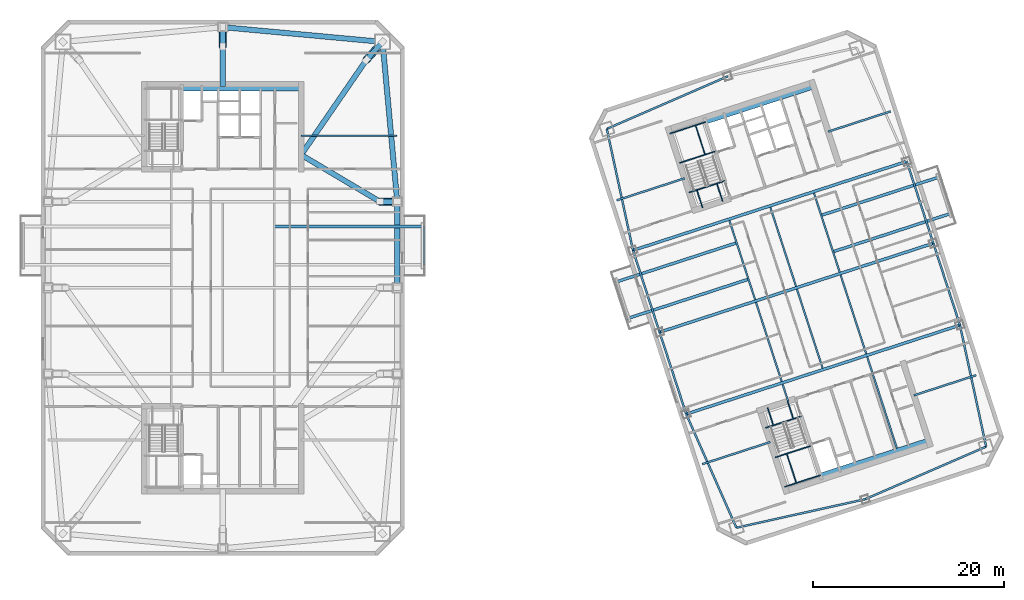
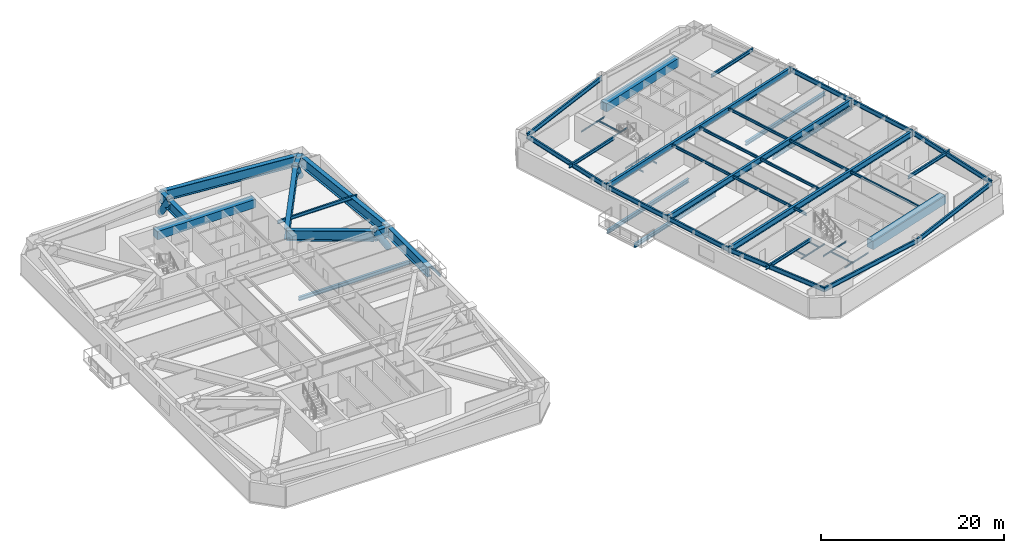
# One storey, part 4 of 17: 56 beams, 3 members.
"""IFC4 building model written with IfcOpenShell, lengths in metres."""

from ifc_helpers import new_model, si_unit, direction, frame, origin, origin_2d, place, context, subcontext, project, spatial, rectangle, hollow_circle, i_section, extrude, material, material_profile, profile_set, type_object, element, save


model = new_model("IFC4")

# Units and contexts
model_context = context("Model", 3, precision=1e-05, world=origin(), true_north=direction((0.0, 1.0)))
body_context = subcontext(model_context, "Body", "Model", "MODEL_VIEW")
ifc_project = project(units=[si_unit("LENGTHUNIT", "METRE"), si_unit("AREAUNIT", "SQUARE_METRE"), si_unit("VOLUMEUNIT", "CUBIC_METRE"), si_unit("PLANEANGLEUNIT", "RADIAN"), si_unit("MASSUNIT", "GRAM", prefix="KILO")], contexts=[model_context])

# Site, building, storey
site_placement = place(None, origin())
site = spatial("IfcSite", under=ifc_project, at=site_placement, CompositionType="ELEMENT")
building_placement = place(site_placement, origin())
building = spatial("IfcBuilding", under=site, at=building_placement, Name="Qiaolan Cultural Towers", CompositionType="ELEMENT")
storey_placement = place(building_placement, frame((0.0, 0.0, 156.39990234375)))
storey = spatial("IfcBuildingStorey", under=building, at=storey_placement, Name="L41", CompositionType="ELEMENT", Elevation=156.39990234375)

# Beams
ifc_material_1 = material(Name="Steel Q420GJB", Category="steel")
ifc_material_profile_1 = material_profile(ifc_material_1, i_section(OverallWidth=0.550048828125, OverallDepth=1.39990234375, WebThickness=0.031982421875, FlangeThickness=0.050048828125, at=origin_2d()), Name="BH1400x550x32x50")
ifc_profile_set_1 = profile_set([ifc_material_profile_1], Name="Steel Q420GJB")
beam_type_1 = type_object("IfcBeamType", Name="BM-BH1400x550x32x50", PredefinedType="BEAM", material=ifc_profile_set_1)
beam_1_placement = place(storey_placement, frame((46.7099609375, 59.7099609375, 2.530029296875), z_axis=(-0.666572456248, -0.745440246145, 0.0), x_axis=(0.745440246145, -0.666572456248, 0.0)))
element("IfcBeam", 1, at=beam_1_placement, inside=storey, type_object=beam_type_1, Name="L41 T1 Setback Transfer Girder MC-NE-A", PredefinedType="BEAM", context=body_context, shape_type="SweptSolid", body=[
    extrude(i_section(OverallWidth=0.550048828125, OverallDepth=1.39990234375, WebThickness=0.031982421875, FlangeThickness=0.050048828125, at=origin_2d()), origin(), (0.0, 0.0, 1.0), 2.53515625),
])
beam_2_placement = place(storey_placement, frame((45.02001953125, 57.820068359375, 2.530029296875), z_axis=(-0.566526240795, -0.824043699382, 0.0), x_axis=(0.824043699382, -0.566526240795, 0.0)))
element("IfcBeam", 2, at=beam_2_placement, inside=storey, type_object=beam_type_1, Name="L41 T1 Setback Transfer Girder MC-NE-B", PredefinedType="BEAM", context=body_context, shape_type="SweptSolid", body=[
    extrude(i_section(OverallWidth=0.550048828125, OverallDepth=1.39990234375, WebThickness=0.031982421875, FlangeThickness=0.050048828125, at=origin_2d()), origin(), (0.0, 0.0, 1.0), 12.038330078125),
])
beam_3_placement = place(storey_placement, frame((48.25, 43.0, 2.530029296875), z_axis=(-1.0, 0.0, 0.0), x_axis=(0.0, -1.0, 0.0)))
element("IfcBeam", 3, at=beam_3_placement, inside=storey, type_object=beam_type_1, Name="L41 T1 Setback Transfer Girder PC-E3-A", PredefinedType="BEAM", context=body_context, shape_type="SweptSolid", body=[
    extrude(i_section(OverallWidth=0.550048828125, OverallDepth=1.39990234375, WebThickness=0.031982421875, FlangeThickness=0.050048828125, at=origin_2d()), origin(), (0.0, 0.0, 1.0), 1.800048828125),
])
beam_4_placement = place(storey_placement, frame((46.449951171875, 43.0, 2.530029296875), z_axis=(-0.859787719832, 0.510651619822, 0.0), x_axis=(-0.510651619822, -0.859787719832, 0.0)))
element("IfcBeam", 4, at=beam_4_placement, inside=storey, type_object=beam_type_1, Name="L41 T1 Setback Transfer Girder PC-E3-B", PredefinedType="BEAM", context=body_context, shape_type="SweptSolid", body=[
    extrude(i_section(OverallWidth=0.550048828125, OverallDepth=1.39990234375, WebThickness=0.031982421875, FlangeThickness=0.050048828125, at=origin_2d()), origin(), (0.0, 0.0, 1.0), 9.595458984375),
])
beam_5_placement = place(storey_placement, frame((30.0, 61.25, 2.530029296875), z_axis=(0.0, -1.0, 0.0), x_axis=(1.0, 0.0, 0.0)))
element("IfcBeam", 5, at=beam_5_placement, inside=storey, type_object=beam_type_1, Name="L41 T1 Setback Transfer Girder PC-N0-A", PredefinedType="BEAM", context=body_context, shape_type="SweptSolid", body=[
    extrude(i_section(OverallWidth=0.550048828125, OverallDepth=1.39990234375, WebThickness=0.031982421875, FlangeThickness=0.050048828125, at=origin_2d()), origin(), (0.0, 0.0, 1.0), 2.0),
])
beam_6_placement = place(storey_placement, frame((30.0, 59.25, 2.530029296875), z_axis=(0.0, -1.0, 0.0), x_axis=(1.0, 0.0, 0.0)))
element("IfcBeam", 6, at=beam_6_placement, inside=storey, type_object=beam_type_1, Name="L41 T1 Setback Transfer Girder PC-N0-B", PredefinedType="BEAM", context=body_context, shape_type="SweptSolid", body=[
    extrude(i_section(OverallWidth=0.550048828125, OverallDepth=1.39990234375, WebThickness=0.031982421875, FlangeThickness=0.050048828125, at=origin_2d()), origin(), (0.0, 0.0, 1.0), 4.199951171875),
])
beam_7_placement = place(storey_placement, frame((48.25, 34.0, 2.489990234375), z_axis=(0.0, 1.0, 0.0), x_axis=(-1.0, 0.0, 0.0)))
element("IfcBeam", 7, at=beam_7_placement, inside=storey, type_object=beam_type_1, Name="L41 T1 Perimeter Spandrel Beam 5", PredefinedType="BEAM", context=body_context, shape_type="SweptSolid", body=[
    extrude(i_section(OverallWidth=0.550048828125, OverallDepth=1.39990234375, WebThickness=0.031982421875, FlangeThickness=0.050048828125, at=origin_2d()), origin(), (0.0, 0.0, 1.0), 9.0),
])
for number, where, z_axis, x_axis, name in (
    (8, (48.25, 43.0, 2.489990234375), (-0.09177399582, 0.995779862064, 0.0), (-0.995779862064, -0.09177399582, 0.0), "L41 T1 Perimeter Spandrel Beam 6"),
    (9, (46.7099609375, 59.7099609375, 2.489990234375), (-0.995779862064, 0.09177399582, 0.0), (-0.09177399582, -0.995779862064, 0.0), "L41 T1 Perimeter Spandrel Beam 7"),
):
    element("IfcBeam", number, at=place(storey_placement, frame(where, z_axis=z_axis, x_axis=x_axis)), inside=storey, type_object=beam_type_1, Name=name, PredefinedType="BEAM", context=body_context, shape_type="SweptSolid", body=[
        extrude(i_section(OverallWidth=0.550048828125, OverallDepth=1.39990234375, WebThickness=0.031982421875, FlangeThickness=0.050048828125, at=origin_2d()), origin(), (0.0, 0.0, 1.0), 16.78076171875),
    ])
ifc_material_2 = material(Name="Steel Q355B", Category="steel")
ifc_material_profile_2 = material_profile(ifc_material_2, i_section(OverallWidth=0.300048828125, OverallDepth=0.488037109375, WebThickness=0.010986328125, FlangeThickness=0.01806640625, at=origin_2d()), Name="HM488x300x11x18")
ifc_profile_set_2 = profile_set([ifc_material_profile_2], Name="Steel Q355B")
beam_type_2 = type_object("IfcBeamType", Name="BM-HM488x300x11x18", PredefinedType="BEAM", material=ifc_profile_set_2)
beam_8_placement = place(storey_placement, frame((35.39990234375, 40.39990234375, -0.52392578125), z_axis=(1.0, 0.0, 0.0), x_axis=(0.0, 1.0, 0.0)))
element("IfcBeam", 10, at=beam_8_placement, inside=storey, type_object=beam_type_2, Name="L41 T1 Tree Balcony Back-Spanned Bracket Beam", PredefinedType="BEAM", context=body_context, shape_type="SweptSolid", body=[
    extrude(i_section(OverallWidth=0.300048828125, OverallDepth=0.488037109375, WebThickness=0.010986328125, FlangeThickness=0.01806640625, at=origin_2d()), origin(), (0.0, 0.0, 1.0), 15.650146484375),
])
for number, where, z_axis, x_axis, name in (
    (11, (84.978515625, 34.891845703125, -0.52392578125), (-0.951058928428, -0.309009570496, 0.0), (0.309009570496, -0.951058928428, 0.0), "L41 T2 Tree Balcony Back-Spanned Bracket Beam"),
    (12, (83.742431640625, 38.6962890625, -0.52392578125), (-0.951053553769, -0.309026111943, 0.0), (0.309026111943, -0.951053553769, 0.0), "L41 T2 Tree Balcony Back-Spanned Bracket Beam"),
):
    element("IfcBeam", number, at=place(storey_placement, frame(where, z_axis=z_axis, x_axis=x_axis)), inside=storey, type_object=beam_type_2, Name=name, PredefinedType="BEAM", context=body_context, shape_type="SweptSolid", body=[
        extrude(i_section(OverallWidth=0.300048828125, OverallDepth=0.488037109375, WebThickness=0.010986328125, FlangeThickness=0.01806640625, at=origin_2d()), origin(), (0.0, 0.0, 1.0), 13.349853515625),
    ])
for number, where, z_axis, x_axis, name in (
    (13, (93.823486328125, 37.765869140625, -0.52392578125), (0.951054414178, 0.309023463951, 0.0), (-0.309023463951, 0.951054414178, 0.0), "L41 T2 Tree Balcony Back-Spanned Bracket Beam"),
    (14, (92.58740234375, 41.570068359375, -0.52392578125), (0.951054414178, 0.309023463951, 0.0), (-0.309023463951, 0.951054414178, 0.0), "L41 T2 Tree Balcony Back-Spanned Bracket Beam"),
):
    element("IfcBeam", number, at=place(storey_placement, frame(where, z_axis=z_axis, x_axis=x_axis)), inside=storey, type_object=beam_type_2, Name=name, PredefinedType="BEAM", context=body_context, shape_type="SweptSolid", body=[
        extrude(i_section(OverallWidth=0.300048828125, OverallDepth=0.488037109375, WebThickness=0.010986328125, FlangeThickness=0.01806640625, at=origin_2d()), origin(), (0.0, 0.0, 1.0), 13.0498046875),
    ])
ifc_material_3 = material(Name="Steel Q355B", Category="steel")
ifc_material_profile_3 = material_profile(ifc_material_3, i_section(OverallWidth=0.300048828125, OverallDepth=0.800048828125, WebThickness=0.013916015625, FlangeThickness=0.02587890625, at=origin_2d()), Name="HN800x300x14x26")
ifc_profile_set_3 = profile_set([ifc_material_profile_3], Name="Steel Q355B")
beam_type_3 = type_object("IfcBeamType", Name="BM-HN800x300x14x26", PredefinedType="BEAM", material=ifc_profile_set_3)
beam_9_placement = place(storey_placement, frame((78.4677734375, 20.789794921875, 2.7900390625), z_axis=(0.951055226628, 0.309020963535, 0.0), x_axis=(-0.309020963535, 0.951055226628, 0.0)))
element("IfcBeam", 15, at=beam_9_placement, inside=storey, type_object=beam_type_3, Name="L41 T2 Primary Transverse Girder V1", PredefinedType="BEAM", context=body_context, shape_type="SweptSolid", body=[
    extrude(i_section(OverallWidth=0.300048828125, OverallDepth=0.800048828125, WebThickness=0.013916015625, FlangeThickness=0.02587890625, at=origin_2d()), origin(), (0.0, 0.0, 1.0), 30.099853515625),
])
beam_10_placement = place(storey_placement, frame((75.6865234375, 29.349365234375, 2.7900390625), z_axis=(0.951058384903, 0.309011243331, 0.0), x_axis=(-0.309011243331, 0.951058384903, 0.0)))
element("IfcBeam", 16, at=beam_10_placement, inside=storey, type_object=beam_type_3, Name="L41 T2 Primary Transverse Girder V2", PredefinedType="BEAM", context=body_context, shape_type="SweptSolid", body=[
    extrude(i_section(OverallWidth=0.300048828125, OverallDepth=0.800048828125, WebThickness=0.013916015625, FlangeThickness=0.02587890625, at=origin_2d()), origin(), (0.0, 0.0, 1.0), 30.10009765625),
])
beam_11_placement = place(storey_placement, frame((72.905517578125, 37.90869140625, 2.7900390625), z_axis=(0.951055226628, 0.309020963535, 0.0), x_axis=(-0.309020963535, 0.951055226628, 0.0)))
element("IfcBeam", 17, at=beam_11_placement, inside=storey, type_object=beam_type_3, Name="L41 T2 Primary Transverse Girder V3", PredefinedType="BEAM", context=body_context, shape_type="SweptSolid", body=[
    extrude(i_section(OverallWidth=0.300048828125, OverallDepth=0.800048828125, WebThickness=0.013916015625, FlangeThickness=0.02587890625, at=origin_2d()), origin(), (0.0, 0.0, 1.0), 30.099853515625),
])
ifc_material_4 = material(Name="Steel Q355B", Category="steel")
ifc_material_profile_4 = material_profile(ifc_material_4, i_section(OverallWidth=0.175048828125, OverallDepth=0.35009765625, WebThickness=0.007080078125, FlangeThickness=0.010986328125, at=origin_2d()), Name="HN350x175x7x11")
ifc_profile_set_4 = profile_set([ifc_material_profile_4], Name="Steel Q355B")
beam_type_4 = type_object("IfcBeamType", Name="BM-JST-HN350x175x7x11", PredefinedType="JOIST", material=ifc_profile_set_4)
beam_12_placement = place(storey_placement, frame((51.050048828125, 36.39990234375, -0.52392578125), z_axis=(0.0, 1.0, 0.0), x_axis=(-1.0, 0.0, 0.0)))
element("IfcBeam", 18, at=beam_12_placement, inside=storey, type_object=beam_type_4, Name="L41 T1 Tree Balcony Outer Edge Beam", PredefinedType="JOIST", context=body_context, shape_type="SweptSolid", body=[
    extrude(i_section(OverallWidth=0.175048828125, OverallDepth=0.35009765625, WebThickness=0.007080078125, FlangeThickness=0.010986328125, at=origin_2d()), origin(), (0.0, 0.0, 1.0), 4.0),
])
beam_13_placement = place(storey_placement, frame((89.119384765625, 22.147705078125, 3.01513671875), z_axis=(-0.308933885266, 0.951083516067, 0.0), x_axis=(-0.951083516067, -0.308933885266, 0.0)))
element("IfcBeam", 19, at=beam_13_placement, inside=storey, type_object=beam_type_4, Name="L41 T2 Secondary Floor Joist U1-1", PredefinedType="JOIST", context=body_context, shape_type="SweptSolid", body=[
    extrude(i_section(OverallWidth=0.175048828125, OverallDepth=0.35009765625, WebThickness=0.007080078125, FlangeThickness=0.010986328125, at=origin_2d()), origin(), (0.0, 0.0, 1.0), 1.85009765625),
])
for number, where, z_axis, x_axis, name in (
    (20, (88.455078125, 24.192626953125, 3.01513671875), (-0.309020714809, 0.951055307445, 0.0), (-0.951055307445, -0.309020714809, 0.0), "L41 T2 Secondary Floor Joist U1-2"),
    (21, (85.673828125, 32.752197265625, 3.01513671875), (-0.309020714809, 0.951055307445, 0.0), (-0.951055307445, -0.309020714809, 0.0), "L41 T2 Secondary Floor Joist U1-3"),
    (22, (92.73486328125, 25.583251953125, 3.01513671875), (-0.309020714809, 0.951055307445, 0.0), (-0.951055307445, -0.309020714809, 0.0), "L41 T2 Secondary Floor Joist U2-2"),
    (23, (89.95361328125, 34.142578125, 3.01513671875), (-0.309020714809, 0.951055307445, 0.0), (-0.951055307445, -0.309020714809, 0.0), "L41 T2 Secondary Floor Joist U2-3"),
):
    element("IfcBeam", number, at=place(storey_placement, frame(where, z_axis=z_axis, x_axis=x_axis)), inside=storey, type_object=beam_type_4, Name=name, PredefinedType="JOIST", context=body_context, shape_type="SweptSolid", body=[
        extrude(i_section(OverallWidth=0.175048828125, OverallDepth=0.35009765625, WebThickness=0.007080078125, FlangeThickness=0.010986328125, at=origin_2d()), origin(), (0.0, 0.0, 1.0), 8.699951171875),
    ])
beam_14_placement = place(storey_placement, frame((100.498291015625, 17.222900390625, 3.01513671875), z_axis=(-0.309025649293, 0.951053704098, 0.0), x_axis=(-0.951053704098, -0.309025649293, 0.0)))
element("IfcBeam", 24, at=beam_14_placement, inside=storey, type_object=beam_type_4, Name="L41 T2 Secondary Floor Joist U3-1", PredefinedType="JOIST", context=body_context, shape_type="SweptSolid", body=[
    extrude(i_section(OverallWidth=0.175048828125, OverallDepth=0.35009765625, WebThickness=0.007080078125, FlangeThickness=0.010986328125, at=origin_2d()), origin(), (0.0, 0.0, 1.0), 10.050048828125),
])
for number, where, z_axis, x_axis, name in (
    (25, (97.2998046875, 27.06640625, 3.01513671875), (-0.309020714809, 0.951055307445, 0.0), (-0.951055307445, -0.309020714809, 0.0), "L41 T2 Secondary Floor Joist U3-2"),
    (26, (94.518798828125, 35.6259765625, 3.01513671875), (-0.309020714809, 0.951055307445, 0.0), (-0.951055307445, -0.309020714809, 0.0), "L41 T2 Secondary Floor Joist U3-3"),
):
    element("IfcBeam", number, at=place(storey_placement, frame(where, z_axis=z_axis, x_axis=x_axis)), inside=storey, type_object=beam_type_4, Name=name, PredefinedType="JOIST", context=body_context, shape_type="SweptSolid", body=[
        extrude(i_section(OverallWidth=0.175048828125, OverallDepth=0.35009765625, WebThickness=0.007080078125, FlangeThickness=0.010986328125, at=origin_2d()), origin(), (0.0, 0.0, 1.0), 8.699951171875),
    ])
ifc_material_5 = material(Name="Steel Q355B", Category="steel")
ifc_material_profile_5 = material_profile(ifc_material_5, i_section(OverallWidth=0.199951171875, OverallDepth=0.449951171875, WebThickness=0.009033203125, FlangeThickness=0.013916015625, at=origin_2d()), Name="HN450x200x9x14")
ifc_profile_set_5 = profile_set([ifc_material_profile_5], Name="Steel Q355B")
beam_type_5 = type_object("IfcBeamType", Name="BM-LNT-HN450x200x9x14", PredefinedType="LINTEL", material=ifc_profile_set_5)
beam_15_placement = place(storey_placement, frame((38.199951171875, 49.89990234375, 2.965087890625), z_axis=(1.0, 0.0, 0.0), x_axis=(0.0, 1.0, 0.0)))
element("IfcBeam", 27, at=beam_15_placement, inside=storey, type_object=beam_type_5, Name="L41 T1 Core Flank Tie Lintel EN", PredefinedType="LINTEL", context=body_context, shape_type="SweptSolid", body=[
    extrude(i_section(OverallWidth=0.199951171875, OverallDepth=0.449951171875, WebThickness=0.009033203125, FlangeThickness=0.013916015625, at=origin_2d()), origin(), (0.0, 0.0, 1.0), 10.050048828125),
])
beam_16_placement = place(storey_placement, frame((87.252685546875, 17.861083984375, 2.965087890625), z_axis=(-0.951064407856, -0.308992705592, 0.0), x_axis=(0.308992705592, -0.951064407856, 0.0)))
element("IfcBeam", 28, at=beam_16_placement, inside=storey, type_object=beam_type_5, Name="L41 T2 Core Flank Tie Lintel WS", PredefinedType="LINTEL", context=body_context, shape_type="SweptSolid", body=[
    extrude(i_section(OverallWidth=0.199951171875, OverallDepth=0.449951171875, WebThickness=0.009033203125, FlangeThickness=0.013916015625, at=origin_2d()), origin(), (0.0, 0.0, 1.0), 7.449951171875),
])
beam_17_placement = place(storey_placement, frame((78.291259765625, 45.44189453125, 2.965087890625), z_axis=(-0.951054777171, -0.309022346796, 0.0), x_axis=(0.309022346796, -0.951054777171, 0.0)))
element("IfcBeam", 29, at=beam_17_placement, inside=storey, type_object=beam_type_5, Name="L41 T2 Core Flank Tie Lintel WN", PredefinedType="LINTEL", context=body_context, shape_type="SweptSolid", body=[
    extrude(i_section(OverallWidth=0.199951171875, OverallDepth=0.449951171875, WebThickness=0.009033203125, FlangeThickness=0.013916015625, at=origin_2d()), origin(), (0.0, 0.0, 1.0), 7.4501953125),
])
for number, where, z_axis, x_axis, name in (
    (30, (102.279296875, 22.74365234375, 2.965087890625), (0.951061565824, 0.30900145309, 0.0), (-0.30900145309, 0.951061565824, 0.0), "L41 T2 Core Flank Tie Lintel ES"),
    (31, (93.31787109375, 50.32421875, 2.965087890625), (0.951061565824, 0.30900145309, 0.0), (-0.30900145309, 0.951061565824, 0.0), "L41 T2 Core Flank Tie Lintel EN"),
):
    element("IfcBeam", number, at=place(storey_placement, frame(where, z_axis=z_axis, x_axis=x_axis)), inside=storey, type_object=beam_type_5, Name=name, PredefinedType="LINTEL", context=body_context, shape_type="SweptSolid", body=[
        extrude(i_section(OverallWidth=0.199951171875, OverallDepth=0.449951171875, WebThickness=0.009033203125, FlangeThickness=0.013916015625, at=origin_2d()), origin(), (0.0, 0.0, 1.0), 6.85009765625),
    ])
ifc_material_6 = material(Name="Concrete C50", Category="concrete")
ifc_material_profile_6 = material_profile(ifc_material_6, rectangle(XDim=0.89990234375, YDim=1.10009765625, at=origin_2d()), Name="RC900x1100")
ifc_profile_set_6 = profile_set([ifc_material_profile_6], Name="Concrete C50")
beam_type_6 = type_object("IfcBeamType", Name="BM-RC900x1100", PredefinedType="BEAM", material=ifc_profile_set_6)
beam_18_placement = place(storey_placement, frame((25.719970703125, 55.050048828125, 2.64013671875), z_axis=(1.0, 0.0, 0.0), x_axis=(0.0, 1.0, 0.0)))
element("IfcBeam", 32, at=beam_18_placement, inside=storey, type_object=beam_type_6, Name="L41 T1 Core Header Girder N", PredefinedType="BEAM", context=body_context, shape_type="SweptSolid", body=[
    extrude(rectangle(XDim=0.89990234375, YDim=1.10009765625, at=origin_2d()), origin(), (0.0, 0.0, 1.0), 12.47998046875),
])
for number, where, z_axis, x_axis, name in (
    (33, (92.572265625, 14.174560546875, 2.64013671875), (0.951056266386, 0.309017763514, 0.0), (-0.309017763514, 0.951056266386, 0.0), "L41 T2 Core Header Girder S"),
    (34, (80.427978515625, 51.551025390625, 2.64013671875), (0.951056266386, 0.309017763514, 0.0), (-0.309017763514, 0.951056266386, 0.0), "L41 T2 Core Header Girder N"),
):
    element("IfcBeam", number, at=place(storey_placement, frame(where, z_axis=z_axis, x_axis=x_axis)), inside=storey, type_object=beam_type_6, Name=name, PredefinedType="BEAM", context=body_context, shape_type="SweptSolid", body=[
        extrude(rectangle(XDim=0.89990234375, YDim=1.10009765625, at=origin_2d()), origin(), (0.0, 0.0, 1.0), 11.880126953125),
    ])
ifc_material_7 = material(Name="Steel Q355B", Category="steel")
ifc_material_profile_7 = material_profile(ifc_material_7, i_section(OverallWidth=0.199951171875, OverallDepth=0.60009765625, WebThickness=0.010986328125, FlangeThickness=0.01708984375, at=origin_2d()), Name="HN600x200x11x17")
ifc_profile_set_7 = profile_set([ifc_material_profile_7], Name="Steel Q355B")
beam_type_7 = type_object("IfcBeamType", Name="BM-SPD-HN600x200x11x17", PredefinedType="SPANDREL", material=ifc_profile_set_7)
beam_19_placement = place(storey_placement, frame((83.71875, 8.900634765625, 2.89013671875), z_axis=(0.976265293399, 0.216578108094, 0.0), x_axis=(-0.216578108094, 0.976265293399, 0.0)))
element("IfcBeam", 35, at=beam_19_placement, inside=storey, type_object=beam_type_7, Name="L41 T2 Perimeter Spandrel Beam 1", PredefinedType="SPANDREL", context=body_context, shape_type="SweptSolid", body=[
    extrude(i_section(OverallWidth=0.199951171875, OverallDepth=0.60009765625, WebThickness=0.010986328125, FlangeThickness=0.01708984375, at=origin_2d()), origin(), (0.0, 0.0, 1.0), 13.793212890625),
])
beam_20_placement = place(storey_placement, frame((97.1845703125, 11.887939453125, 2.89013671875), z_axis=(0.917117043091, 0.398618024268, 0.0), x_axis=(-0.398618024268, 0.917117043091, 0.0)))
element("IfcBeam", 36, at=beam_20_placement, inside=storey, type_object=beam_type_7, Name="L41 T2 Perimeter Spandrel Beam 2", PredefinedType="SPANDREL", context=body_context, shape_type="SweptSolid", body=[
    extrude(i_section(OverallWidth=0.199951171875, OverallDepth=0.60009765625, WebThickness=0.010986328125, FlangeThickness=0.01708984375, at=origin_2d()), origin(), (0.0, 0.0, 1.0), 13.79345703125),
])
beam_21_placement = place(storey_placement, frame((109.834716796875, 17.38623046875, 2.89013671875), z_axis=(-0.210832241173, 0.977522258612, 0.0), x_axis=(-0.977522258612, -0.210832241173, 0.0)))
element("IfcBeam", 37, at=beam_21_placement, inside=storey, type_object=beam_type_7, Name="L41 T2 Perimeter Spandrel Beam 3", PredefinedType="SPANDREL", context=body_context, shape_type="SweptSolid", body=[
    extrude(i_section(OverallWidth=0.199951171875, OverallDepth=0.60009765625, WebThickness=0.010986328125, FlangeThickness=0.01708984375, at=origin_2d()), origin(), (0.0, 0.0, 1.0), 12.997314453125),
])
beam_22_placement = place(storey_placement, frame((107.094482421875, 30.09130859375, 2.89013671875), z_axis=(-0.309008170129, 0.951059383421, 0.0), x_axis=(-0.951059383421, -0.309008170129, 0.0)))
element("IfcBeam", 38, at=beam_22_placement, inside=storey, type_object=beam_type_7, Name="L41 T2 Perimeter Spandrel Beam 4", PredefinedType="SPANDREL", context=body_context, shape_type="SweptSolid", body=[
    extrude(i_section(OverallWidth=0.199951171875, OverallDepth=0.60009765625, WebThickness=0.010986328125, FlangeThickness=0.01708984375, at=origin_2d()), origin(), (0.0, 0.0, 1.0), 8.999755859375),
])
beam_23_placement = place(storey_placement, frame((104.3134765625, 38.650634765625, 2.89013671875), z_axis=(-0.309024734286, 0.951054001411, 0.0), x_axis=(-0.951054001411, -0.309024734286, 0.0)))
element("IfcBeam", 39, at=beam_23_placement, inside=storey, type_object=beam_type_7, Name="L41 T2 Perimeter Spandrel Beam 5", PredefinedType="SPANDREL", context=body_context, shape_type="SweptSolid", body=[
    extrude(i_section(OverallWidth=0.199951171875, OverallDepth=0.60009765625, WebThickness=0.010986328125, FlangeThickness=0.01708984375, at=origin_2d()), origin(), (0.0, 0.0, 1.0), 9.0),
])
beam_24_placement = place(storey_placement, frame((82.8154296875, 56.112060546875, 2.89013671875), z_axis=(-0.917117043091, -0.398618024268, 0.0), x_axis=(0.398618024268, -0.917117043091, 0.0)))
element("IfcBeam", 40, at=beam_24_placement, inside=storey, type_object=beam_type_7, Name="L41 T2 Perimeter Spandrel Beam 8", PredefinedType="SPANDREL", context=body_context, shape_type="SweptSolid", body=[
    extrude(i_section(OverallWidth=0.199951171875, OverallDepth=0.60009765625, WebThickness=0.010986328125, FlangeThickness=0.01708984375, at=origin_2d()), origin(), (0.0, 0.0, 1.0), 13.79345703125),
])
beam_25_placement = place(storey_placement, frame((70.165283203125, 50.61376953125, 2.89013671875), z_axis=(0.210832241173, -0.977522258612, 0.0), x_axis=(0.977522258612, 0.210832241173, 0.0)))
element("IfcBeam", 41, at=beam_25_placement, inside=storey, type_object=beam_type_7, Name="L41 T2 Perimeter Spandrel Beam 9", PredefinedType="SPANDREL", context=body_context, shape_type="SweptSolid", body=[
    extrude(i_section(OverallWidth=0.199951171875, OverallDepth=0.60009765625, WebThickness=0.010986328125, FlangeThickness=0.01708984375, at=origin_2d()), origin(), (0.0, 0.0, 1.0), 12.997314453125),
])
beam_26_placement = place(storey_placement, frame((72.905517578125, 37.90869140625, 2.89013671875), z_axis=(0.309008170129, -0.951059383421, 0.0), x_axis=(0.951059383421, 0.309008170129, 0.0)))
element("IfcBeam", 42, at=beam_26_placement, inside=storey, type_object=beam_type_7, Name="L41 T2 Perimeter Spandrel Beam 10", PredefinedType="SPANDREL", context=body_context, shape_type="SweptSolid", body=[
    extrude(i_section(OverallWidth=0.199951171875, OverallDepth=0.60009765625, WebThickness=0.010986328125, FlangeThickness=0.01708984375, at=origin_2d()), origin(), (0.0, 0.0, 1.0), 8.999755859375),
])
beam_27_placement = place(storey_placement, frame((75.6865234375, 29.349365234375, 2.89013671875), z_axis=(0.309024734286, -0.951054001411, 0.0), x_axis=(0.951054001411, 0.309024734286, 0.0)))
element("IfcBeam", 43, at=beam_27_placement, inside=storey, type_object=beam_type_7, Name="L41 T2 Perimeter Spandrel Beam 11", PredefinedType="SPANDREL", context=body_context, shape_type="SweptSolid", body=[
    extrude(i_section(OverallWidth=0.199951171875, OverallDepth=0.60009765625, WebThickness=0.010986328125, FlangeThickness=0.01708984375, at=origin_2d()), origin(), (0.0, 0.0, 1.0), 9.0),
])
beam_28_placement = place(storey_placement, frame((78.4677734375, 20.789794921875, 2.89013671875), z_axis=(0.404011070002, -0.914754095545, 0.0), x_axis=(0.914754095545, 0.404011070002, 0.0)))
element("IfcBeam", 44, at=beam_28_placement, inside=storey, type_object=beam_type_7, Name="L41 T2 Perimeter Spandrel Beam 12", PredefinedType="SPANDREL", context=body_context, shape_type="SweptSolid", body=[
    extrude(i_section(OverallWidth=0.199951171875, OverallDepth=0.60009765625, WebThickness=0.010986328125, FlangeThickness=0.01708984375, at=origin_2d()), origin(), (0.0, 0.0, 1.0), 12.9970703125),
])
ifc_material_8 = material(Name="Steel Q355B", Category="steel")
ifc_material_profile_8 = material_profile(ifc_material_8, i_section(OverallWidth=0.10009765625, OverallDepth=0.199951171875, WebThickness=0.005615234375, FlangeThickness=0.008056640625, at=origin_2d()), Name="HN200x100x5.5x8")
ifc_profile_set_8 = profile_set([ifc_material_profile_8], Name="Steel Q355B")
beam_type_8 = type_object("IfcBeamType", Name="BM-STTRIM-200", PredefinedType="BEAM", material=ifc_profile_set_8)
beam_29_placement = place(storey_placement, frame((86.770751953125, 19.3447265625, -0.4599609375), z_axis=(0.951047798727, 0.309043823005, 0.0), x_axis=(-0.309043823005, 0.951047798727, 0.0)))
element("IfcBeam", 45, at=beam_29_placement, inside=storey, type_object=beam_type_8, Name="L41 ST-E1 Floor Landing Header Beam", PredefinedType="BEAM", context=body_context, shape_type="SweptSolid", body=[
    extrude(i_section(OverallWidth=0.10009765625, OverallDepth=0.199951171875, WebThickness=0.005615234375, FlangeThickness=0.008056640625, at=origin_2d()), origin(), (0.0, 0.0, 1.0), 3.919921875),
])
for number, where, z_axis, x_axis, name in (
    (46, (86.9794921875, 21.452392578125, -0.4599609375), (0.309083226701, -0.951034993558, 0.0), (0.951034993558, 0.309083226701, 0.0), "L41 ST-E1 Floor Landing Stringer 1"),
    (47, (89.07177734375, 22.13232421875, -0.4599609375), (0.309083226701, -0.951034993558, 0.0), (0.951034993558, 0.309083226701, 0.0), "L41 ST-E1 Floor Landing Stringer 2"),
):
    element("IfcBeam", number, at=place(storey_placement, frame(where, z_axis=z_axis, x_axis=x_axis)), inside=storey, type_object=beam_type_8, Name=name, PredefinedType="BEAM", context=body_context, shape_type="SweptSolid", body=[
        extrude(i_section(OverallWidth=0.10009765625, OverallDepth=0.199951171875, WebThickness=0.005615234375, FlangeThickness=0.008056640625, at=origin_2d()), origin(), (0.0, 0.0, 1.0), 1.93994140625),
    ])
for number, where, z_axis, x_axis, name in (
    (48, (87.774658203125, 16.255126953125, 1.425048828125), (0.951047798727, 0.309043823005, 0.0), (-0.309043823005, 0.951047798727, 0.0), "L41 ST-E1 Stair Landing Support Beam 1-1"),
    (49, (88.773193359375, 13.181884765625, 1.425048828125), (0.951047798727, 0.309043823005, 0.0), (-0.309043823005, 0.951047798727, 0.0), "L41 ST-E1 Stair Landing Support Beam 1-2"),
):
    element("IfcBeam", number, at=place(storey_placement, frame(where, z_axis=z_axis, x_axis=x_axis)), inside=storey, type_object=beam_type_8, Name=name, PredefinedType="BEAM", context=body_context, shape_type="SweptSolid", body=[
        extrude(i_section(OverallWidth=0.10009765625, OverallDepth=0.199951171875, WebThickness=0.005615234375, FlangeThickness=0.008056640625, at=origin_2d()), origin(), (0.0, 0.0, 1.0), 3.919921875),
    ])
beam_30_placement = place(storey_placement, frame((88.982421875, 16.6474609375, 1.425048828125), z_axis=(0.309033108495, -0.951051280349, 0.0), x_axis=(0.951051280349, 0.309033108495, 0.0)))
element("IfcBeam", 50, at=beam_30_placement, inside=storey, type_object=beam_type_8, Name="L41 ST-E1 Stair Landing Trimmer 1", PredefinedType="BEAM", context=body_context, shape_type="SweptSolid", body=[
    extrude(i_section(OverallWidth=0.10009765625, OverallDepth=0.199951171875, WebThickness=0.005615234375, FlangeThickness=0.008056640625, at=origin_2d()), origin(), (0.0, 0.0, 1.0), 3.231201171875),
])
beam_31_placement = place(storey_placement, frame((78.773193359375, 43.958251953125, -0.4599609375), z_axis=(0.951072048947, 0.3089691857, 0.0), x_axis=(-0.3089691857, 0.951072048947, 0.0)))
element("IfcBeam", 51, at=beam_31_placement, inside=storey, type_object=beam_type_8, Name="L41 ST-E2 Floor Landing Header Beam", PredefinedType="BEAM", context=body_context, shape_type="SweptSolid", body=[
    extrude(i_section(OverallWidth=0.10009765625, OverallDepth=0.199951171875, WebThickness=0.005615234375, FlangeThickness=0.008056640625, at=origin_2d()), origin(), (0.0, 0.0, 1.0), 3.920166015625),
])
for number, where, z_axis, x_axis, name in (
    (52, (80.18115234375, 42.375732421875, -0.4599609375), (-0.308969394428, 0.951071981138, 0.0), (-0.951071981138, -0.308969394428, 0.0), "L41 ST-E2 Floor Landing Stringer 1"),
    (53, (82.2734375, 43.0556640625, -0.4599609375), (-0.308969394428, 0.951071981138, 0.0), (-0.951071981138, -0.308969394428, 0.0), "L41 ST-E2 Floor Landing Stringer 2"),
):
    element("IfcBeam", number, at=place(storey_placement, frame(where, z_axis=z_axis, x_axis=x_axis)), inside=storey, type_object=beam_type_8, Name=name, PredefinedType="BEAM", context=body_context, shape_type="SweptSolid", body=[
        extrude(i_section(OverallWidth=0.10009765625, OverallDepth=0.199951171875, WebThickness=0.005615234375, FlangeThickness=0.008056640625, at=origin_2d()), origin(), (0.0, 0.0, 1.0), 1.93994140625),
    ])
for number, where, z_axis, x_axis, name in (
    (54, (77.769287109375, 47.0478515625, 1.425048828125), (0.951053746643, 0.309025518358, 0.0), (-0.309025518358, 0.951053746643, 0.0), "L41 ST-E2 Stair Landing Support Beam 1-1"),
    (55, (76.770751953125, 50.12109375, 1.425048828125), (0.951072048947, 0.3089691857, 0.0), (-0.3089691857, 0.951072048947, 0.0), "L41 ST-E2 Stair Landing Support Beam 1-2"),
):
    element("IfcBeam", number, at=place(storey_placement, frame(where, z_axis=z_axis, x_axis=x_axis)), inside=storey, type_object=beam_type_8, Name=name, PredefinedType="BEAM", context=body_context, shape_type="SweptSolid", body=[
        extrude(i_section(OverallWidth=0.10009765625, OverallDepth=0.199951171875, WebThickness=0.005615234375, FlangeThickness=0.008056640625, at=origin_2d()), origin(), (0.0, 0.0, 1.0), 3.920166015625),
    ])
beam_32_placement = place(storey_placement, frame((80.44189453125, 47.916259765625, 1.425048828125), z_axis=(-0.309033108495, 0.951051280349, 0.0), x_axis=(-0.951051280349, -0.309033108495, 0.0)))
element("IfcBeam", 56, at=beam_32_placement, inside=storey, type_object=beam_type_8, Name="L41 ST-E2 Stair Landing Trimmer 1", PredefinedType="BEAM", context=body_context, shape_type="SweptSolid", body=[
    extrude(i_section(OverallWidth=0.10009765625, OverallDepth=0.199951171875, WebThickness=0.005615234375, FlangeThickness=0.008056640625, at=origin_2d()), origin(), (0.0, 0.0, 1.0), 3.231201171875),
])

# Members
ifc_material_9 = material(Name="Steel Q390GJB", Category="steel")
ifc_material_profile_9 = material_profile(ifc_material_9, hollow_circle(Radius=0.39990234375, WallThickness=0.0400390625, at=origin_2d()), Name="CHS800x40")
ifc_profile_set_9 = profile_set([ifc_material_profile_9], Name="Steel Q390GJB")
member_type = type_object("IfcMemberType", Name="MBR-BRC-CHS800x40", PredefinedType="BRACE", material=ifc_profile_set_9)
member_1_placement = place(storey_placement, frame((46.7099609375, 59.7099609375, 0.300048828125), z_axis=(-0.436165178177, -0.487771546413, 0.756200274964), x_axis=(0.745440246145, -0.666572456248, 0.0)))
element("IfcMember", 57, at=member_1_placement, inside=storey, type_object=member_type, Name="L41 T1 Setback Transfer Raker Strut MC-NE", PredefinedType="BRACE", context=body_context, shape_type="SweptSolid", body=[
    extrude(hollow_circle(Radius=0.39990234375, WallThickness=0.0400390625, at=origin_2d()), origin(), (0.0, 0.0, 1.0), 3.87451171875),
])
member_2_placement = place(storey_placement, frame((48.25, 43.0, 0.300048828125), z_axis=(-0.523467442692, 0.0, 0.852045677438), x_axis=(0.0, -1.0, 0.0)))
element("IfcMember", 58, at=member_2_placement, inside=storey, type_object=member_type, Name="L41 T1 Setback Transfer Raker Strut PC-E3", PredefinedType="BRACE", context=body_context, shape_type="SweptSolid", body=[
    extrude(hollow_circle(Radius=0.39990234375, WallThickness=0.0400390625, at=origin_2d()), origin(), (0.0, 0.0, 1.0), 3.438720703125),
])
member_3_placement = place(storey_placement, frame((30.0, 61.25, 0.300048828125), z_axis=(0.0, -0.56378306087, 0.825922914246), x_axis=(1.0, 0.0, 0.0)))
element("IfcMember", 59, at=member_3_placement, inside=storey, type_object=member_type, Name="L41 T1 Setback Transfer Raker Strut PC-N0", PredefinedType="BRACE", context=body_context, shape_type="SweptSolid", body=[
    extrude(hollow_circle(Radius=0.39990234375, WallThickness=0.0400390625, at=origin_2d()), origin(), (0.0, 0.0, 1.0), 3.54736328125),
])

save(model, "model.ifc")
